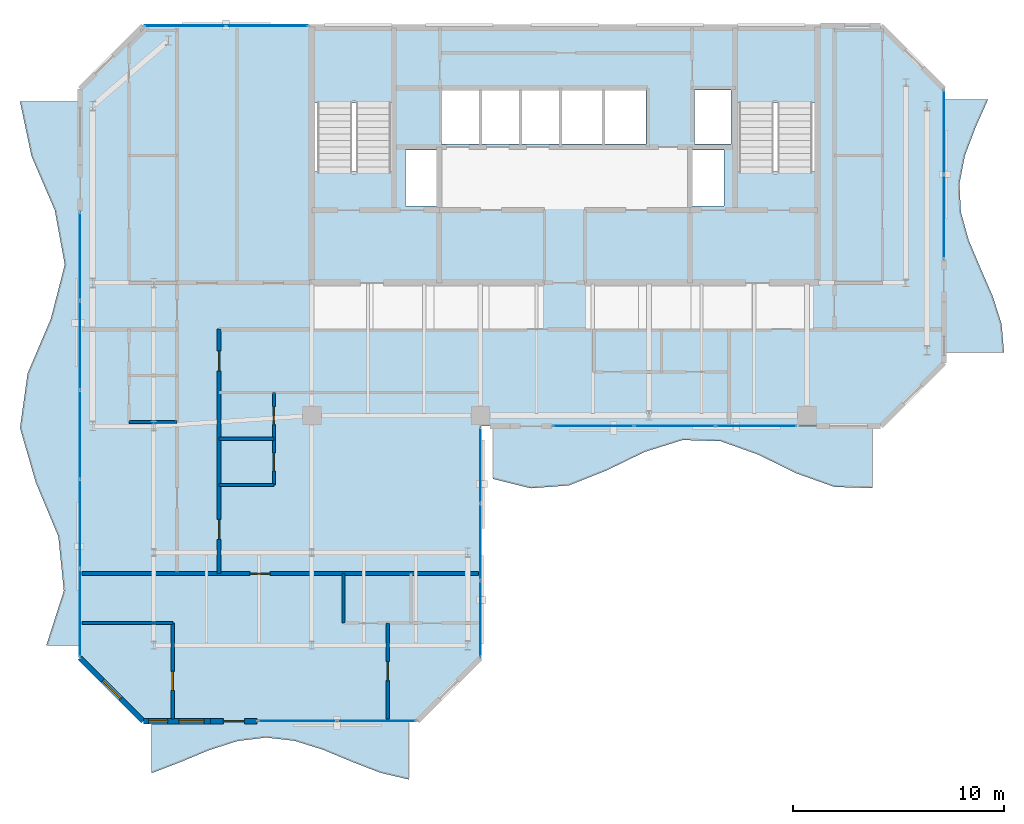
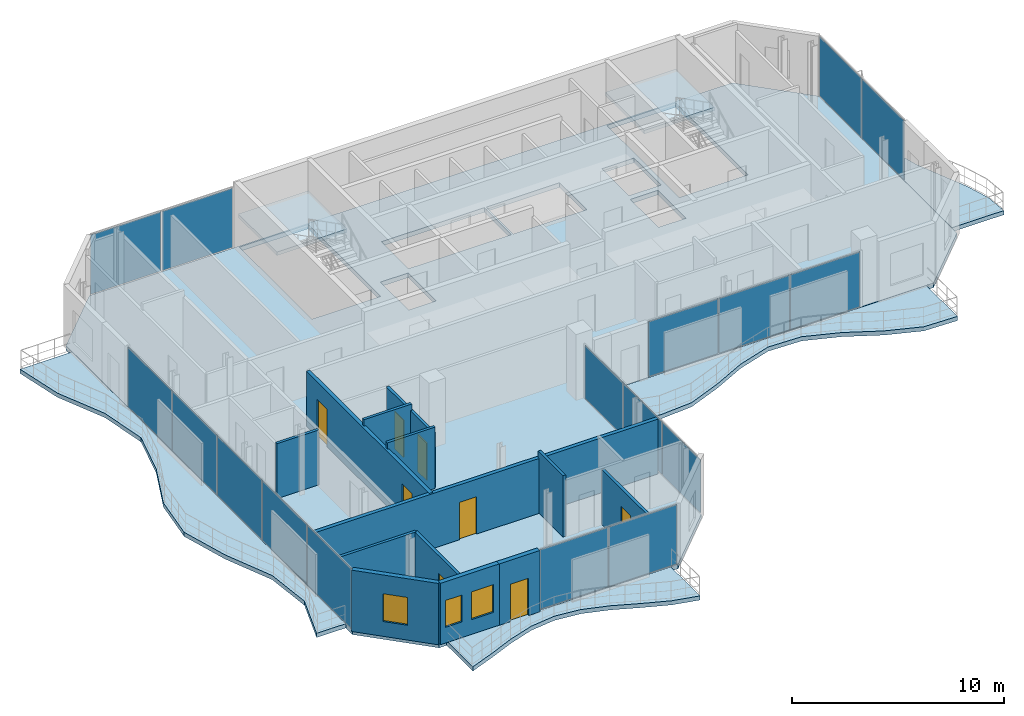
# One storey, part 17 of 23: 17 plates, 13 walls, 8 doors, 7 slabs, 3 windows, 11 openings, 8 elements without a shape of their own.
"""IFC4 building model written with IfcOpenShell, lengths in metres."""

from ifc_helpers import new_model, si_unit, direction, frame, frame_2d, origin, origin_2d, place, context, subcontext, project, spatial, polyline, rectangle, outline, extrude, material, layer, layer_set, type_object, element, fill, aggregate, save


model = new_model("IFC4")

# Units and contexts
model_context = context("Model", 3, precision=1e-05, world=origin(), true_north=direction((0.0, 1.0)))
body_context = subcontext(model_context, "Body", "Model", "MODEL_VIEW")
ifc_project = project(units=[si_unit("LENGTHUNIT", "METRE"), si_unit("AREAUNIT", "SQUARE_METRE"), si_unit("VOLUMEUNIT", "CUBIC_METRE"), si_unit("PLANEANGLEUNIT", "RADIAN"), si_unit("MASSUNIT", "GRAM", prefix="KILO")], contexts=[model_context])

# Site, building, storey
site_placement = place(None, origin())
site = spatial("IfcSite", under=ifc_project, at=site_placement, CompositionType="ELEMENT")
building_placement = place(site_placement, origin())
building = spatial("IfcBuilding", under=site, at=building_placement, Name="Catumbela Crestline Tower", CompositionType="ELEMENT")
storey_placement = place(building_placement, frame((0.0, 0.0, 241.2)))
storey = spatial("IfcBuildingStorey", under=building, at=storey_placement, Name="L62", CompositionType="ELEMENT", Elevation=241.2)

# Curtain wall, plates
ifc_material_1 = material(Name="Aluminium alloy AW-6060-T66", Category="aluminium")
ifc_layer_1 = layer(ifc_material_1, 0.18, Name="Aluminium alloy AW-6060-T66")
ifc_layer_set_1 = layer_set([ifc_layer_1], Name="Aluminium alloy AW-6060-T66")
curtain_wall_type = type_object("IfcCurtainWallType", Name="CWU-Z4", PredefinedType="USERDEFINED", material=ifc_layer_set_1)
curtain_wall_1_placement = place(storey_placement, origin())
curtain_wall_1 = element("IfcCurtainWall", 1, at=curtain_wall_1_placement, inside=storey, type_object=curtain_wall_type, Name="L62 Unitised Curtain Wall CW-L62-E0S2", ObjectType="UNITISED", PredefinedType="USERDEFINED")
ifc_material_2 = material(Name="Low-E laminated solar-control double glazing", Category="glass")
ifc_layer_2 = layer(ifc_material_2, 0.036, Name="Low-E laminated solar-control double glazing")
ifc_layer_set_2 = layer_set([ifc_layer_2], Name="Low-E laminated solar-control double glazing")
plate_type = type_object("IfcPlateType", Name="PNL-GLZ-Z4", PredefinedType="CURTAIN_PANEL", material=ifc_layer_set_2)
plate_1_placement = place(storey_placement, frame((15.3162, 10.0, 0.06), z_axis=(0.0, 0.0, 1.0), x_axis=(1.0, 0.0, 0.0)))
plate_1 = element("IfcPlate", 2, at=plate_1_placement, type_object=plate_type, Name="CWU-Z4 panel 1.1", PredefinedType="CURTAIN_PANEL", context=body_context, shape_type="SweptSolid", body=[
    extrude(rectangle(XDim=3.7025, YDim=0.034, at=origin_2d()), origin(), (0.0, 0.0, 1.0), 3.41),
])
plate_2_placement = place(storey_placement, frame((19.0837, 10.0, 0.06), z_axis=(0.0, 0.0, 1.0), x_axis=(1.0, 0.0, 0.0)))
plate_2 = element("IfcPlate", 3, at=plate_2_placement, type_object=plate_type, Name="CWU-Z4 panel 2.1", PredefinedType="CURTAIN_PANEL", context=body_context, shape_type="SweptSolid", body=[
    extrude(rectangle(XDim=3.7025, YDim=0.034, at=origin_2d()), origin(), (0.0, 0.0, 1.0), 3.41),
])
aggregate(curtain_wall_1, [plate_1, plate_2])

curtain_wall_2_placement = place(storey_placement, origin())
curtain_wall_2 = element("IfcCurtainWall", 4, at=curtain_wall_2_placement, inside=storey, type_object=curtain_wall_type, Name="L62 Unitised Curtain Wall CW-L62-E2S1", ObjectType="UNITISED", PredefinedType="USERDEFINED")
plate_3_placement = place(storey_placement, frame((24.0, 14.8496, 0.06), z_axis=(0.0, 0.0, 1.0), x_axis=(0.0, 1.0, 0.0)))
plate_3 = element("IfcPlate", 5, at=plate_3_placement, type_object=plate_type, Name="CWU-Z4 panel 1.1", PredefinedType="CURTAIN_PANEL", context=body_context, shape_type="SweptSolid", body=[
    extrude(rectangle(XDim=3.5692, YDim=0.034, at=origin_2d()), origin(), (0.0, 0.0, 1.0), 3.04),
])
plate_4_placement = place(storey_placement, frame((24.0, 18.5, 0.06), z_axis=(0.0, 0.0, 1.0), x_axis=(0.0, 1.0, 0.0)))
plate_4 = element("IfcPlate", 6, at=plate_4_placement, type_object=plate_type, Name="CWU-Z4 panel 2.1", PredefinedType="CURTAIN_PANEL", context=body_context, shape_type="SweptSolid", body=[
    extrude(rectangle(XDim=3.6017, YDim=0.034, at=origin_2d()), origin(), (0.0, 0.0, 1.0), 3.04),
])
plate_5_placement = place(storey_placement, frame((24.0, 22.1504, 0.06), z_axis=(0.0, 0.0, 1.0), x_axis=(0.0, 1.0, 0.0)))
plate_5 = element("IfcPlate", 7, at=plate_5_placement, type_object=plate_type, Name="CWU-Z4 panel 3.1", PredefinedType="CURTAIN_PANEL", context=body_context, shape_type="SweptSolid", body=[
    extrude(rectangle(XDim=3.5692, YDim=0.034, at=origin_2d()), origin(), (0.0, 0.0, 1.0), 3.04),
])
aggregate(curtain_wall_2, [plate_3, plate_4, plate_5])

curtain_wall_3_placement = place(storey_placement, origin())
curtain_wall_3 = element("IfcCurtainWall", 8, at=curtain_wall_3_placement, inside=storey, type_object=curtain_wall_type, Name="L62 Unitised Curtain Wall CW-L62-E3S2", ObjectType="UNITISED", PredefinedType="USERDEFINED")
plate_6_placement = place(storey_placement, frame((29.3579, 24.0, 0.06), z_axis=(0.0, 0.0, 1.0), x_axis=(1.0, 0.0, 0.0)))
plate_6 = element("IfcPlate", 9, at=plate_6_placement, type_object=plate_type, Name="CWU-Z4 panel 1.1", PredefinedType="CURTAIN_PANEL", context=body_context, shape_type="SweptSolid", body=[
    extrude(rectangle(XDim=3.7858, YDim=0.034, at=origin_2d()), origin(), (0.0, 0.0, 1.0), 3.15),
])
plate_7_placement = place(storey_placement, frame((33.225, 24.0, 0.06), z_axis=(0.0, 0.0, 1.0), x_axis=(1.0, 0.0, 0.0)))
plate_7 = element("IfcPlate", 10, at=plate_7_placement, type_object=plate_type, Name="CWU-Z4 panel 2.1", PredefinedType="CURTAIN_PANEL", context=body_context, shape_type="SweptSolid", body=[
    extrude(rectangle(XDim=3.8183, YDim=0.034, at=origin_2d()), origin(), (0.0, 0.0, 1.0), 3.15),
])
plate_8_placement = place(storey_placement, frame((37.0921, 24.0, 0.06), z_axis=(0.0, 0.0, 1.0), x_axis=(1.0, 0.0, 0.0)))
plate_8 = element("IfcPlate", 11, at=plate_8_placement, type_object=plate_type, Name="CWU-Z4 panel 3.1", PredefinedType="CURTAIN_PANEL", context=body_context, shape_type="SweptSolid", body=[
    extrude(rectangle(XDim=3.7858, YDim=0.034, at=origin_2d()), origin(), (0.0, 0.0, 1.0), 3.15),
])
aggregate(curtain_wall_3, [plate_6, plate_7, plate_8])

curtain_wall_4_placement = place(storey_placement, origin())
curtain_wall_4 = element("IfcCurtainWall", 12, at=curtain_wall_4_placement, inside=storey, type_object=curtain_wall_type, Name="L62 Unitised Curtain Wall CW-L62-E5S2", ObjectType="UNITISED", PredefinedType="USERDEFINED")
plate_9_placement = place(storey_placement, frame((46.0, 33.9412, 0.06), z_axis=(0.0, 0.0, 1.0), x_axis=(0.0, 1.0, 0.0)))
plate_9 = element("IfcPlate", 13, at=plate_9_placement, type_object=plate_type, Name="CWU-Z4 panel 1.1", PredefinedType="CURTAIN_PANEL", context=body_context, shape_type="SweptSolid", body=[
    extrude(rectangle(XDim=3.9525, YDim=0.034, at=origin_2d()), origin(), (0.0, 0.0, 1.0), 3.41),
])
plate_10_placement = place(storey_placement, frame((46.0, 37.9588, 0.06), z_axis=(0.0, 0.0, 1.0), x_axis=(0.0, 1.0, 0.0)))
plate_10 = element("IfcPlate", 14, at=plate_10_placement, type_object=plate_type, Name="CWU-Z4 panel 2.1", PredefinedType="CURTAIN_PANEL", context=body_context, shape_type="SweptSolid", body=[
    extrude(rectangle(XDim=3.9525, YDim=0.034, at=origin_2d()), origin(), (0.0, 0.0, 1.0), 3.41),
])
aggregate(curtain_wall_4, [plate_9, plate_10])

curtain_wall_5_placement = place(storey_placement, origin())
curtain_wall_5 = element("IfcCurtainWall", 15, at=curtain_wall_5_placement, inside=storey, type_object=curtain_wall_type, Name="L62 Unitised Curtain Wall CW-L62-E7S2", ObjectType="UNITISED", PredefinedType="USERDEFINED")
plate_11_placement = place(storey_placement, frame((13.8788, 43.0, 0.06), z_axis=(0.0, 0.0, 1.0), x_axis=(-1.0, 0.0, 0.0)))
plate_11 = element("IfcPlate", 16, at=plate_11_placement, type_object=plate_type, Name="CWU-Z4 panel 1.1", PredefinedType="CURTAIN_PANEL", context=body_context, shape_type="SweptSolid", body=[
    extrude(rectangle(XDim=3.8325, YDim=0.034, at=origin_2d()), origin(), (0.0, 0.0, 1.0), 3.41),
])
plate_12_placement = place(storey_placement, frame((9.9812, 43.0, 0.06), z_axis=(0.0, 0.0, 1.0), x_axis=(-1.0, 0.0, 0.0)))
plate_12 = element("IfcPlate", 17, at=plate_12_placement, type_object=plate_type, Name="CWU-Z4 panel 2.1", PredefinedType="CURTAIN_PANEL", context=body_context, shape_type="SweptSolid", body=[
    extrude(rectangle(XDim=3.8325, YDim=0.034, at=origin_2d()), origin(), (0.0, 0.0, 1.0), 3.41),
])
aggregate(curtain_wall_5, [plate_11, plate_12])

curtain_wall_6_placement = place(storey_placement, origin())
curtain_wall_6 = element("IfcCurtainWall", 18, at=curtain_wall_6_placement, inside=storey, type_object=curtain_wall_type, Name="L62 Unitised Curtain Wall CW-L62-E9S2", ObjectType="UNITISED", PredefinedType="USERDEFINED")
plate_13_placement = place(storey_placement, frame((5.0, 32.0638, 0.06), z_axis=(0.0, 0.0, 1.0), x_axis=(0.0, -1.0, 0.0)))
plate_13 = element("IfcPlate", 19, at=plate_13_placement, type_object=plate_type, Name="CWU-Z4 panel 1.1", PredefinedType="CURTAIN_PANEL", context=body_context, shape_type="SweptSolid", body=[
    extrude(rectangle(XDim=4.1425, YDim=0.034, at=origin_2d()), origin(), (0.0, 0.0, 1.0), 3.41),
])
plate_14_placement = place(storey_placement, frame((5.0, 27.84, 0.06), z_axis=(0.0, 0.0, 1.0), x_axis=(0.0, -1.0, 0.0)))
plate_14 = element("IfcPlate", 20, at=plate_14_placement, type_object=plate_type, Name="CWU-Z4 panel 2.1", PredefinedType="CURTAIN_PANEL", context=body_context, shape_type="SweptSolid", body=[
    extrude(rectangle(XDim=4.175, YDim=0.034, at=origin_2d()), origin(), (0.0, 0.0, 1.0), 3.41),
])
plate_15_placement = place(storey_placement, frame((5.0, 23.6, 0.06), z_axis=(0.0, 0.0, 1.0), x_axis=(0.0, -1.0, 0.0)))
plate_15 = element("IfcPlate", 21, at=plate_15_placement, type_object=plate_type, Name="CWU-Z4 panel 3.1", PredefinedType="CURTAIN_PANEL", context=body_context, shape_type="SweptSolid", body=[
    extrude(rectangle(XDim=4.175, YDim=0.034, at=origin_2d()), origin(), (0.0, 0.0, 1.0), 3.41),
])
plate_16_placement = place(storey_placement, frame((5.0, 19.36, 0.06), z_axis=(0.0, 0.0, 1.0), x_axis=(0.0, -1.0, 0.0)))
plate_16 = element("IfcPlate", 22, at=plate_16_placement, type_object=plate_type, Name="CWU-Z4 panel 4.1", PredefinedType="CURTAIN_PANEL", context=body_context, shape_type="SweptSolid", body=[
    extrude(rectangle(XDim=4.175, YDim=0.034, at=origin_2d()), origin(), (0.0, 0.0, 1.0), 3.41),
])
plate_17_placement = place(storey_placement, frame((5.0, 15.1362, 0.06), z_axis=(0.0, 0.0, 1.0), x_axis=(0.0, -1.0, 0.0)))
plate_17 = element("IfcPlate", 23, at=plate_17_placement, type_object=plate_type, Name="CWU-Z4 panel 5.1", PredefinedType="CURTAIN_PANEL", context=body_context, shape_type="SweptSolid", body=[
    extrude(rectangle(XDim=4.1425, YDim=0.034, at=origin_2d()), origin(), (0.0, 0.0, 1.0), 3.41),
])
aggregate(curtain_wall_6, [plate_13, plate_14, plate_15, plate_16, plate_17])

# Stair, slab
ifc_material_3 = material(Name="Concrete C45/55", Category="concrete")
stair_type = type_object("IfcStairType", Name="ST-DLG", PredefinedType="HALF_TURN_STAIR", material=ifc_material_3)
stair_1_placement = place(storey_placement, origin())
stair_1 = element("IfcStair", 24, at=stair_1_placement, inside=storey, type_object=stair_type, Name="L62 West Core Pressurised Exit Stair ST-01", PredefinedType="HALF_TURN_STAIR")
ifc_layer_3 = layer(ifc_material_3, 0.2, Name="Concrete C45/55")
ifc_layer_set_3 = layer_set([ifc_layer_3], Name="Concrete C45/55")
slab_type_1 = type_object("IfcSlabType", Name="SL-LND", PredefinedType="LANDING", material=ifc_layer_set_3)
slab_1_placement = place(storey_placement, frame((0.0, 0.0, 1.7)))
slab_1 = element("IfcSlab", 25, at=slab_1_placement, type_object=slab_type_1, Name="ST-01 landing 1", PredefinedType="LANDING", context=body_context, shape_type="SweptSolid", body=[
    extrude(outline(polyline([(19.91, 39.33), (19.91, 42.96), (16.09, 42.96), (16.09, 39.33), (19.91, 39.33)])), origin(), (0.0, 0.0, 1.0), 0.2),
])
aggregate(stair_1, [slab_1])

stair_2_placement = place(storey_placement, origin())
stair_2 = element("IfcStair", 26, at=stair_2_placement, inside=storey, type_object=stair_type, Name="L62 East Core Pressurised Exit Stair ST-02", PredefinedType="HALF_TURN_STAIR")
slab_2_placement = place(storey_placement, frame((0.0, 0.0, 1.7)))
slab_2 = element("IfcSlab", 27, at=slab_2_placement, type_object=slab_type_1, Name="ST-02 landing 1", PredefinedType="LANDING", context=body_context, shape_type="SweptSolid", body=[
    extrude(outline(polyline([(39.91, 39.33), (39.91, 42.96), (36.09, 42.96), (36.09, 39.33), (39.91, 39.33)])), origin(), (0.0, 0.0, 1.0), 0.2),
])
aggregate(stair_2, [slab_2])

# Slabs
ifc_layer_4 = layer(ifc_material_3, 0.26, Name="Concrete C45/55")
ifc_layer_set_4 = layer_set([ifc_layer_4], Name="Concrete C45/55")
slab_type_2 = type_object("IfcSlabType", Name="SL-260", PredefinedType="FLOOR", material=ifc_layer_set_4)
slab_3_placement = place(storey_placement, frame((0.0, 0.0, -0.26)))
element("IfcSlab", 28, at=slab_3_placement, inside=storey, type_object=slab_type_2, Name="L62 Structural Floor Slab", PredefinedType="FLOOR", context=body_context, shape_type="SweptSolid", body=[
    extrude(outline(polyline([(8.0, 10.0), (21.0, 10.0), (24.0, 13.0), (24.0, 24.0), (43.0, 24.0), (46.0, 27.0), (46.0, 40.0), (43.0, 43.0), (8.0, 43.0), (5.0, 40.0), (5.0, 13.0), (8.0, 10.0)]), holes=[polyline([(16.13, 36.08), (19.87, 36.08), (19.87, 42.92), (16.13, 42.92), (16.13, 36.08)]), polyline([(36.13, 36.08), (39.87, 36.08), (39.87, 42.92), (36.13, 42.92), (36.13, 36.08)]), polyline([(22.15, 37.4), (27.75, 37.4), (27.75, 39.95), (22.15, 39.95), (22.15, 37.4)]), polyline([(27.85, 37.4), (31.85, 37.4), (31.85, 39.95), (27.85, 39.95), (27.85, 37.4)]), polyline([(20.45, 34.45), (21.95, 34.45), (21.95, 37.1), (20.45, 37.1), (20.45, 34.45)]), polyline([(34.05, 34.45), (35.55, 34.45), (35.55, 37.1), (34.05, 37.1), (34.05, 34.45)]), polyline([(34.15, 37.4), (35.9, 37.4), (35.9, 39.95), (34.15, 39.95), (34.15, 37.4)])]), origin(), (0.0, 0.0, 1.0), 0.26),
])
ifc_layer_5 = layer(ifc_material_3, 0.24, Name="Concrete C45/55")
ifc_layer_set_5 = layer_set([ifc_layer_5], Name="Concrete C45/55")
slab_type_3 = type_object("IfcSlabType", Name="SB-240W", PredefinedType="USERDEFINED", material=ifc_layer_set_5)
slab_4_placement = place(storey_placement, frame((0.0, 0.0, -0.24)))
element("IfcSlab", 29, at=slab_4_placement, inside=storey, type_object=slab_type_3, Name="L62 Cantilevered Wave Balcony Slab SPINE-S", ObjectType="BALCONY", PredefinedType="USERDEFINED", context=body_context, shape_type="SweptSolid", body=[
    extrude(outline(polyline([(24.6, 21.4947), (26.4, 21.05), (28.2, 21.1868), (30.0, 21.9016), (31.8, 22.7781), (33.6, 23.3413), (35.4, 23.2858), (37.2, 22.6417), (39.0, 21.7583), (40.8, 21.1142), (42.6, 21.0587), (42.6, 23.99), (24.6, 23.99), (24.6, 21.4947)])), origin(), (0.0, 0.0, 1.0), 0.24),
])
slab_5_placement = place(storey_placement, frame((0.0, 0.0, -0.24)))
element("IfcSlab", 30, at=slab_5_placement, inside=storey, type_object=slab_type_3, Name="L62 Cantilevered Wave Balcony Slab SPINE-E", ObjectType="BALCONY", PredefinedType="USERDEFINED", context=body_context, shape_type="SweptSolid", body=[
    extrude(outline(polyline([(46.01, 27.5), (48.85, 27.5), (48.7394, 28.8333), (48.3142, 30.1667), (47.7328, 31.5), (47.1718, 32.8333), (46.8017, 34.1667), (46.735, 35.5), (46.992, 36.8333), (47.4945, 38.1667), (48.0898, 39.5), (46.01, 39.5), (46.01, 27.5)])), origin(), (0.0, 0.0, 1.0), 0.24),
])
slab_6_placement = place(storey_placement, frame((0.0, 0.0, -0.24)))
element("IfcSlab", 31, at=slab_6_placement, inside=storey, type_object=slab_type_3, Name="L62 Cantilevered Wave Balcony Slab WING-S", ObjectType="BALCONY", PredefinedType="USERDEFINED", context=body_context, shape_type="SweptSolid", body=[
    extrude(outline(polyline([(8.4, 7.5326), (9.7556, 8.0522), (11.1111, 8.6181), (12.4667, 9.0528), (13.8222, 9.2199), (15.1778, 9.0669), (16.5333, 8.6418), (17.8889, 8.0781), (19.2444, 7.5526), (20.6, 7.2303), (20.6, 9.99), (8.4, 9.99), (8.4, 7.5326)])), origin(), (0.0, 0.0, 1.0), 0.24),
])
slab_7_placement = place(storey_placement, frame((0.0, 0.0, -0.24)))
element("IfcSlab", 32, at=slab_7_placement, inside=storey, type_object=slab_type_3, Name="L62 Cantilevered Wave Balcony Slab WEST", ObjectType="BALCONY", PredefinedType="USERDEFINED", context=body_context, shape_type="SweptSolid", body=[
    extrude(outline(polyline([(4.99, 39.4), (2.15, 39.4), (2.6933, 36.82), (3.803, 34.24), (4.2744, 31.66), (3.6084, 29.08), (2.5101, 26.5), (2.15, 23.92), (2.894, 21.34), (3.9698, 18.76), (4.2307, 16.18), (3.4005, 13.6), (4.99, 13.6), (4.99, 39.4)])), origin(), (0.0, 0.0, 1.0), 0.24),
])

# Wall, openings, doors
ifc_material_4 = material(Name="Acoustic gypsum and mineral-wool partition")
ifc_layer_6 = layer(ifc_material_4, 0.2, Name="Acoustic gypsum and mineral-wool partition")
ifc_layer_set_6 = layer_set([ifc_layer_6], Name="Acoustic gypsum and mineral-wool partition")
wall_type_1 = type_object("IfcWallType", Name="WC-200", PredefinedType="PARTITIONING", material=ifc_layer_set_6)
wall_1_placement = place(storey_placement, frame((11.6, 17.0, 0.0), z_axis=(0.0, 0.0, 1.0), x_axis=(0.0, 1.0, 0.0)))
wall_1 = element("IfcWall", 33, at=wall_1_placement, inside=storey, type_object=wall_type_1, Name="L62 Interior Partition PW-L62-RWAM-ENT", PredefinedType="PARTITIONING", context=body_context, shape_type="SweptSolid", body=[
    extrude(rectangle(XDim=11.6, YDim=0.2, at=frame_2d((5.8, 0.0))), origin(), (0.0, 0.0, 1.0), 3.16),
])
opening_1_placement = place(wall_1_placement, frame((9.625, 0.0, 0.0)))
opening_1 = element("IfcOpeningElement", 34, at=opening_1_placement, cuts=wall_1, Name="Opening DF6-095", PredefinedType="OPENING", context=body_context, shape_type="SweptSolid", body=[
    extrude(rectangle(XDim=0.95, YDim=2.15, at=frame_2d((0.475, 1.075))), frame((0.0, 0.11, 0.0), z_axis=(0.0, -1.0, 0.0), x_axis=(1.0, 0.0, 0.0)), (0.0, 0.0, 1.0), 0.22),
])
opening_2_placement = place(wall_1_placement, frame((1.625, 0.0, 0.0)))
opening_2 = element("IfcOpeningElement", 35, at=opening_2_placement, cuts=wall_1, Name="Opening DF6-095", PredefinedType="OPENING", context=body_context, shape_type="SweptSolid", body=[
    extrude(rectangle(XDim=0.95, YDim=2.15, at=frame_2d((0.475, 1.075))), frame((0.0, 0.11, 0.0), z_axis=(0.0, -1.0, 0.0), x_axis=(1.0, 0.0, 0.0)), (0.0, 0.0, 1.0), 0.22),
])
door_type_1 = type_object("IfcDoorType", Name="DF6-095", OperationType="NOTDEFINED", PredefinedType="DOOR", material=ifc_material_1)
door_1_placement = place(opening_1_placement, origin())
door_1 = element("IfcDoor", 36, at=door_1_placement, inside=storey, type_object=door_type_1, Name="L62 Interior Door DR-L62-RWAM-ENT", OperationType="SINGLE_SWING_RIGHT", OverallHeight=2.15, OverallWidth=0.95, PredefinedType="DOOR", context=body_context, shape_type="SweptSolid", body=[
    extrude(rectangle(XDim=0.95, YDim=2.15, at=frame_2d((0.475, 1.075))), frame((0.0, 0.025, 0.0), z_axis=(0.0, -1.0, 0.0), x_axis=(1.0, 0.0, 0.0)), (0.0, 0.0, 1.0), 0.05),
])
fill(opening_1, door_1)
door_2_placement = place(opening_2_placement, origin())
door_2 = element("IfcDoor", 37, at=door_2_placement, inside=storey, type_object=door_type_1, Name="L62 Interior Door DR-L62-WR1-ENT", OperationType="SINGLE_SWING_LEFT", OverallHeight=2.15, OverallWidth=0.95, PredefinedType="DOOR", context=body_context, shape_type="SweptSolid", body=[
    extrude(rectangle(XDim=0.95, YDim=2.15, at=frame_2d((0.475, 1.075))), frame((0.0, 0.025, 0.0), z_axis=(0.0, -1.0, 0.0), x_axis=(1.0, 0.0, 0.0)), (0.0, 0.0, 1.0), 0.05),
])
fill(opening_2, door_2)

# Wall, opening, door
ifc_material_5 = material(Name="Angolan grey-ochre granite", Category="masonry")
ifc_layer_7 = layer(ifc_material_5, 0.25, Name="Angolan grey-ochre granite")
ifc_layer_set_7 = layer_set([ifc_layer_7], Name="Angolan grey-ochre granite")
wall_type_2 = type_object("IfcWallType", Name="WE-250", PredefinedType="STANDARD", material=ifc_layer_set_7)
wall_2_placement = place(storey_placement, frame((11.2, 10.0, 0.0), z_axis=(0.0, 0.0, 1.0), x_axis=(1.0, 0.0, 0.0)))
wall_2 = element("IfcWall", 38, at=wall_2_placement, inside=storey, type_object=wall_type_2, Name="L62 Exterior Threshold Portal Wall DR-L62-WBAL-3", PredefinedType="STANDARD", context=body_context, shape_type="SweptSolid", body=[
    extrude(rectangle(XDim=2.2, YDim=0.25, at=frame_2d((1.1, 0.0))), origin(), (0.0, 0.0, 1.0), 3.53),
])
opening_3_placement = place(wall_2_placement, frame((0.6, 0.0, 0.0)))
opening_3 = element("IfcOpeningElement", 39, at=opening_3_placement, cuts=wall_2, Name="Opening DB-L62-3", PredefinedType="OPENING", context=body_context, shape_type="SweptSolid", body=[
    extrude(rectangle(XDim=1.0, YDim=2.15, at=frame_2d((0.5, 1.075))), frame((0.0, 0.135, 0.0), z_axis=(0.0, -1.0, 0.0), x_axis=(1.0, 0.0, 0.0)), (0.0, 0.0, 1.0), 0.27),
])
door_type_2 = type_object("IfcDoorType", Name="DB-1000", OperationType="NOTDEFINED", PredefinedType="DOOR", material=ifc_material_1)
door_3_placement = place(opening_3_placement, origin())
door_3 = element("IfcDoor", 40, at=door_3_placement, inside=storey, type_object=door_type_2, Name="L62 Wave Balcony Terrace Door 3", OperationType="SINGLE_SWING_RIGHT", OverallHeight=2.15, OverallWidth=1.0, PredefinedType="DOOR", context=body_context, shape_type="SweptSolid", body=[
    extrude(rectangle(XDim=1.0, YDim=2.15, at=frame_2d((0.5, 1.075))), frame((0.0, 0.025, 0.0), z_axis=(0.0, -1.0, 0.0), x_axis=(1.0, 0.0, 0.0)), (0.0, 0.0, 1.0), 0.05),
])
fill(opening_3, door_3)

# Wall, openings, windows
wall_3_placement = place(storey_placement, frame((8.0, 10.0, 0.0), z_axis=(0.0, 0.0, 1.0), x_axis=(1.0, 0.0, 0.0)))
wall_3 = element("IfcWall", 41, at=wall_3_placement, inside=storey, type_object=wall_type_2, Name="L62 Granite Punched Window Wall 0-1", PredefinedType="STANDARD", context=body_context, shape_type="SweptSolid", body=[
    extrude(rectangle(XDim=3.2, YDim=0.25, at=frame_2d((1.6, 0.0))), origin(), (0.0, 0.0, 1.0), 3.53),
])
opening_4_placement = place(wall_3_placement, frame((0.26, 0.0, 0.9)))
opening_4 = element("IfcOpeningElement", 42, at=opening_4_placement, cuts=wall_3, Name="Opening WN-03", PredefinedType="OPENING", context=body_context, shape_type="SweptSolid", body=[
    extrude(rectangle(XDim=0.9, YDim=1.55, at=frame_2d((0.45, 0.775))), frame((0.0, 0.135, 0.0), z_axis=(0.0, -1.0, 0.0), x_axis=(1.0, 0.0, 0.0)), (0.0, 0.0, 1.0), 0.27),
])
opening_5_placement = place(wall_3_placement, frame((1.69, 0.0, 0.85)))
opening_5 = element("IfcOpeningElement", 43, at=opening_5_placement, cuts=wall_3, Name="Opening WN-02", PredefinedType="OPENING", context=body_context, shape_type="SweptSolid", body=[
    extrude(rectangle(XDim=1.2, YDim=1.6, at=frame_2d((0.6, 0.8))), frame((0.0, 0.135, 0.0), z_axis=(0.0, -1.0, 0.0), x_axis=(1.0, 0.0, 0.0)), (0.0, 0.0, 1.0), 0.27),
])
window_type_1 = type_object("IfcWindowType", Name="WO-0900", PartitioningType="SINGLE_PANEL", PredefinedType="WINDOW", material=ifc_material_2)
window_1_placement = place(opening_4_placement, origin())
window_1 = element("IfcWindow", 44, at=window_1_placement, inside=storey, type_object=window_type_1, Name="L62 Facade Vision Window 454", OverallHeight=1.55, OverallWidth=0.9, PartitioningType="SINGLE_PANEL", PredefinedType="WINDOW", context=body_context, shape_type="SweptSolid", body=[
    extrude(rectangle(XDim=0.9, YDim=1.55, at=frame_2d((0.45, 0.775))), frame((0.0, 0.03, 0.0), z_axis=(0.0, -1.0, 0.0), x_axis=(1.0, 0.0, 0.0)), (0.0, 0.0, 1.0), 0.06),
])
fill(opening_4, window_1)
window_type_2 = type_object("IfcWindowType", Name="WO-1200", PartitioningType="SINGLE_PANEL", PredefinedType="WINDOW", material=ifc_material_2)
window_2_placement = place(opening_5_placement, origin())
window_2 = element("IfcWindow", 45, at=window_2_placement, inside=storey, type_object=window_type_2, Name="L62 Facade Vision Window 455", OverallHeight=1.6, OverallWidth=1.2, PartitioningType="SINGLE_PANEL", PredefinedType="WINDOW", context=body_context, shape_type="SweptSolid", body=[
    extrude(rectangle(XDim=1.2, YDim=1.6, at=frame_2d((0.6, 0.8))), frame((0.0, 0.03, 0.0), z_axis=(0.0, -1.0, 0.0), x_axis=(1.0, 0.0, 0.0)), (0.0, 0.0, 1.0), 0.06),
])
fill(opening_5, window_2)

# Wall, opening, window
wall_4_placement = place(storey_placement, frame((5.0, 13.0, 0.0), z_axis=(0.0, 0.0, 1.0), x_axis=(0.707106781187, -0.707106781187, 0.0)))
wall_4 = element("IfcWall", 46, at=wall_4_placement, inside=storey, type_object=wall_type_2, Name="L62 Granite Punched Window Wall 10-1", PredefinedType="STANDARD", context=body_context, shape_type="SweptSolid", body=[
    extrude(rectangle(XDim=4.2426, YDim=0.25, at=frame_2d((2.1213, 0.0))), origin(), (0.0, 0.0, 1.0), 3.53),
])
opening_6_placement = place(wall_4_placement, frame((1.5213, 0.0, 0.85)))
opening_6 = element("IfcOpeningElement", 47, at=opening_6_placement, cuts=wall_4, Name="Opening WN-02", PredefinedType="OPENING", context=body_context, shape_type="SweptSolid", body=[
    extrude(rectangle(XDim=1.2, YDim=1.6, at=frame_2d((0.6, 0.8))), frame((0.0, 0.135, 0.0), z_axis=(0.0, -1.0, 0.0), x_axis=(1.0, 0.0, 0.0)), (0.0, 0.0, 1.0), 0.27),
])
window_3_placement = place(opening_6_placement, origin())
window_3 = element("IfcWindow", 48, at=window_3_placement, inside=storey, type_object=window_type_2, Name="L62 Facade Vision Window 464", OverallHeight=1.6, OverallWidth=1.2, PartitioningType="SINGLE_PANEL", PredefinedType="WINDOW", context=body_context, shape_type="SweptSolid", body=[
    extrude(rectangle(XDim=1.2, YDim=1.6, at=frame_2d((0.6, 0.8))), frame((0.0, 0.03, 0.0), z_axis=(0.0, -1.0, 0.0), x_axis=(1.0, 0.0, 0.0)), (0.0, 0.0, 1.0), 0.06),
])
fill(opening_6, window_3)

# Walls
ifc_layer_8 = layer(ifc_material_4, 0.15, Name="Acoustic gypsum and mineral-wool partition")
ifc_layer_set_8 = layer_set([ifc_layer_8], Name="Acoustic gypsum and mineral-wool partition")
wall_type_3 = type_object("IfcWallType", Name="WP-150", PredefinedType="PARTITIONING", material=ifc_layer_set_8)
wall_5_placement = place(storey_placement, frame((7.32, 24.2, 0.0), z_axis=(0.0, 0.0, 1.0), x_axis=(1.0, 0.0, 0.0)))
element("IfcWall", 49, at=wall_5_placement, inside=storey, type_object=wall_type_3, Name="L62 Interior Partition PW-L62-WL1-KBS", PredefinedType="PARTITIONING", context=body_context, shape_type="SweptSolid", body=[
    extrude(rectangle(XDim=2.28, YDim=0.15, at=frame_2d((1.14, 0.0))), origin(), (0.0, 0.0, 1.0), 3.16),
])
for number, where, z_axis, x_axis, name in (
    (50, (11.6, 21.2, 0.0), (0.0, 0.0, 1.0), (1.0, 0.0, 0.0), "L62 Interior Partition PW-L62-WR1-KBS"),
    (51, (11.6, 23.4, 0.0), (0.0, 0.0, 1.0), (1.0, 0.0, 0.0), "L62 Interior Partition PW-L62-WR1-KBM"),
):
    element("IfcWall", number, at=place(storey_placement, frame(where, z_axis=z_axis, x_axis=x_axis)), inside=storey, type_object=wall_type_3, Name=name, PredefinedType="PARTITIONING", context=body_context, shape_type="SweptSolid", body=[
        extrude(rectangle(XDim=2.6, YDim=0.15, at=frame_2d((1.3, 0.0))), origin(), (0.0, 0.0, 1.0), 3.53),
    ])

# Wall, openings, doors
wall_6_placement = place(storey_placement, frame((14.2, 21.2, 0.0), z_axis=(0.0, 0.0, 1.0), x_axis=(0.0, 1.0, 0.0)))
wall_6 = element("IfcWall", 52, at=wall_6_placement, inside=storey, type_object=wall_type_3, Name="L62 Interior Partition PW-L62-WR1-SK1", PredefinedType="PARTITIONING", context=body_context, shape_type="SweptSolid", body=[
    extrude(rectangle(XDim=4.4, YDim=0.15, at=frame_2d((2.2, 0.0))), origin(), (0.0, 0.0, 1.0), 3.16),
])
opening_7_placement = place(wall_6_placement, frame((0.675, 0.0, 0.0)))
opening_7 = element("IfcOpeningElement", 53, at=opening_7_placement, cuts=wall_6, Name="Opening DI-085", PredefinedType="OPENING", context=body_context, shape_type="SweptSolid", body=[
    extrude(rectangle(XDim=0.85, YDim=2.15, at=frame_2d((0.425, 1.075))), frame((0.0, 0.085, 0.0), z_axis=(0.0, -1.0, 0.0), x_axis=(1.0, 0.0, 0.0)), (0.0, 0.0, 1.0), 0.17),
])
opening_8_placement = place(wall_6_placement, frame((2.875, 0.0, 0.0)))
opening_8 = element("IfcOpeningElement", 54, at=opening_8_placement, cuts=wall_6, Name="Opening DI-085", PredefinedType="OPENING", context=body_context, shape_type="SweptSolid", body=[
    extrude(rectangle(XDim=0.85, YDim=2.15, at=frame_2d((0.425, 1.075))), frame((0.0, 0.085, 0.0), z_axis=(0.0, -1.0, 0.0), x_axis=(1.0, 0.0, 0.0)), (0.0, 0.0, 1.0), 0.17),
])
door_type_3 = type_object("IfcDoorType", Name="DI-085", OperationType="NOTDEFINED", PredefinedType="DOOR", material=ifc_material_1)
door_4_placement = place(opening_7_placement, origin())
door_4 = element("IfcDoor", 55, at=door_4_placement, inside=storey, type_object=door_type_3, Name="L62 Interior Door DR-L62-WR1-KIT", OperationType="SINGLE_SWING_LEFT", OverallHeight=2.15, OverallWidth=0.85, PredefinedType="DOOR", context=body_context, shape_type="SweptSolid", body=[
    extrude(rectangle(XDim=0.85, YDim=2.15, at=frame_2d((0.425, 1.075))), frame((0.0, 0.025, 0.0), z_axis=(0.0, -1.0, 0.0), x_axis=(1.0, 0.0, 0.0)), (0.0, 0.0, 1.0), 0.05),
])
fill(opening_7, door_4)
door_5_placement = place(opening_8_placement, origin())
door_5 = element("IfcDoor", 56, at=door_5_placement, inside=storey, type_object=door_type_3, Name="L62 Interior Door DR-L62-WR1-BTH", OperationType="SINGLE_SWING_RIGHT", OverallHeight=2.15, OverallWidth=0.85, PredefinedType="DOOR", context=body_context, shape_type="SweptSolid", body=[
    extrude(rectangle(XDim=0.85, YDim=2.15, at=frame_2d((0.425, 1.075))), frame((0.0, 0.025, 0.0), z_axis=(0.0, -1.0, 0.0), x_axis=(1.0, 0.0, 0.0)), (0.0, 0.0, 1.0), 0.05),
])
fill(opening_8, door_5)

# Walls
wall_7_placement = place(storey_placement, frame((17.5, 14.65, 0.0), z_axis=(0.0, 0.0, 1.0), x_axis=(0.0, 1.0, 0.0)))
element("IfcWall", 57, at=wall_7_placement, inside=storey, type_object=wall_type_3, Name="L62 Interior Partition PW-L62-SH1-KBW", PredefinedType="PARTITIONING", context=body_context, shape_type="SweptSolid", body=[
    extrude(rectangle(XDim=2.35, YDim=0.15, at=frame_2d((1.175, 0.0))), origin(), (0.0, 0.0, 1.0), 3.53),
])
wall_8_placement = place(storey_placement, frame((5.1, 14.65, 0.0), z_axis=(0.0, 0.0, 1.0), x_axis=(1.0, 0.0, 0.0)))
element("IfcWall", 58, at=wall_8_placement, inside=storey, type_object=wall_type_3, Name="L62 Interior Partition PW-L62-SH1-BDLH", PredefinedType="PARTITIONING", context=body_context, shape_type="SweptSolid", body=[
    extrude(rectangle(XDim=4.3, YDim=0.15, at=frame_2d((2.15, 0.0))), origin(), (0.0, 0.0, 1.0), 3.16),
])

# Wall, opening, door
wall_9_placement = place(storey_placement, frame((9.4, 10.1, 0.0), z_axis=(0.0, 0.0, 1.0), x_axis=(0.0, 1.0, 0.0)))
wall_9 = element("IfcWall", 59, at=wall_9_placement, inside=storey, type_object=wall_type_3, Name="L62 Interior Partition PW-L62-SH1-BDL", PredefinedType="PARTITIONING", context=body_context, shape_type="SweptSolid", body=[
    extrude(rectangle(XDim=4.55, YDim=0.15, at=frame_2d((2.275, 0.0))), origin(), (0.0, 0.0, 1.0), 3.16),
])
opening_9_placement = place(wall_9_placement, frame((1.3648, 0.0, 0.0)))
opening_9 = element("IfcOpeningElement", 60, at=opening_9_placement, cuts=wall_9, Name="Opening DI-090", PredefinedType="OPENING", context=body_context, shape_type="SweptSolid", body=[
    extrude(rectangle(XDim=0.9, YDim=2.15, at=frame_2d((0.45, 1.075))), frame((0.0, 0.085, 0.0), z_axis=(0.0, -1.0, 0.0), x_axis=(1.0, 0.0, 0.0)), (0.0, 0.0, 1.0), 0.17),
])
door_type_4 = type_object("IfcDoorType", Name="DI-090", OperationType="NOTDEFINED", PredefinedType="DOOR", material=ifc_material_1)
door_6_placement = place(opening_9_placement, origin())
door_6 = element("IfcDoor", 61, at=door_6_placement, inside=storey, type_object=door_type_4, Name="L62 Interior Door DR-L62-SH1-BD1", OperationType="SINGLE_SWING_LEFT", OverallHeight=2.15, OverallWidth=0.9, PredefinedType="DOOR", context=body_context, shape_type="SweptSolid", body=[
    extrude(rectangle(XDim=0.9, YDim=2.15, at=frame_2d((0.45, 1.075))), frame((0.0, 0.025, 0.0), z_axis=(0.0, -1.0, 0.0), x_axis=(1.0, 0.0, 0.0)), (0.0, 0.0, 1.0), 0.05),
])
fill(opening_9, door_6)

wall_10_placement = place(storey_placement, frame((19.6, 10.1, 0.0), z_axis=(0.0, 0.0, 1.0), x_axis=(0.0, 1.0, 0.0)))
wall_10 = element("IfcWall", 62, at=wall_10_placement, inside=storey, type_object=wall_type_3, Name="L62 Interior Partition PW-L62-SH1-BDR", PredefinedType="PARTITIONING", context=body_context, shape_type="SweptSolid", body=[
    extrude(rectangle(XDim=4.55, YDim=0.15, at=frame_2d((2.275, 0.0))), origin(), (0.0, 0.0, 1.0), 3.16),
])
opening_10_placement = place(wall_10_placement, frame((1.825, 0.0, 0.0)))
opening_10 = element("IfcOpeningElement", 63, at=opening_10_placement, cuts=wall_10, Name="Opening DI-090", PredefinedType="OPENING", context=body_context, shape_type="SweptSolid", body=[
    extrude(rectangle(XDim=0.9, YDim=2.15, at=frame_2d((0.45, 1.075))), frame((0.0, 0.085, 0.0), z_axis=(0.0, -1.0, 0.0), x_axis=(1.0, 0.0, 0.0)), (0.0, 0.0, 1.0), 0.17),
])
door_7_placement = place(opening_10_placement, origin())
door_7 = element("IfcDoor", 64, at=door_7_placement, inside=storey, type_object=door_type_4, Name="L62 Interior Door DR-L62-SH1-BD2", OperationType="SINGLE_SWING_RIGHT", OverallHeight=2.15, OverallWidth=0.9, PredefinedType="DOOR", context=body_context, shape_type="SweptSolid", body=[
    extrude(rectangle(XDim=0.9, YDim=2.15, at=frame_2d((0.45, 1.075))), frame((0.0, 0.025, 0.0), z_axis=(0.0, -1.0, 0.0), x_axis=(1.0, 0.0, 0.0)), (0.0, 0.0, 1.0), 0.05),
])
fill(opening_10, door_7)

ifc_layer_9 = layer(ifc_material_4, 0.2, Name="Acoustic gypsum and mineral-wool partition")
ifc_layer_set_9 = layer_set([ifc_layer_9], Name="Acoustic gypsum and mineral-wool partition")
wall_type_4 = type_object("IfcWallType", Name="WY-200", PredefinedType="PARTITIONING", material=ifc_layer_set_9)
wall_11_placement = place(storey_placement, frame((5.1, 17.0, 0.0), z_axis=(0.0, 0.0, 1.0), x_axis=(1.0, 0.0, 0.0)))
wall_11 = element("IfcWall", 65, at=wall_11_placement, inside=storey, type_object=wall_type_4, Name="L62 Interior Partition PW-L62-SH-WL", PredefinedType="PARTITIONING", context=body_context, shape_type="SweptSolid", body=[
    extrude(rectangle(XDim=18.8, YDim=0.2, at=frame_2d((9.4, 0.0))), origin(), (0.0, 0.0, 1.0), 3.16),
])
opening_11_placement = place(wall_11_placement, frame((7.975, 0.0, 0.0)))
opening_11 = element("IfcOpeningElement", 66, at=opening_11_placement, cuts=wall_11, Name="Opening DF6-095", PredefinedType="OPENING", context=body_context, shape_type="SweptSolid", body=[
    extrude(rectangle(XDim=0.95, YDim=2.15, at=frame_2d((0.475, 1.075))), frame((0.0, 0.11, 0.0), z_axis=(0.0, -1.0, 0.0), x_axis=(1.0, 0.0, 0.0)), (0.0, 0.0, 1.0), 0.22),
])
door_8_placement = place(opening_11_placement, origin())
door_8 = element("IfcDoor", 67, at=door_8_placement, inside=storey, type_object=door_type_1, Name="L62 Interior Door DR-L62-SH1-ENT", OperationType="SINGLE_SWING_LEFT", OverallHeight=2.15, OverallWidth=0.95, PredefinedType="DOOR", context=body_context, shape_type="SweptSolid", body=[
    extrude(rectangle(XDim=0.95, YDim=2.15, at=frame_2d((0.475, 1.075))), frame((0.0, 0.025, 0.0), z_axis=(0.0, -1.0, 0.0), x_axis=(1.0, 0.0, 0.0)), (0.0, 0.0, 1.0), 0.05),
])
fill(opening_11, door_8)

save(model, "model.ifc")
